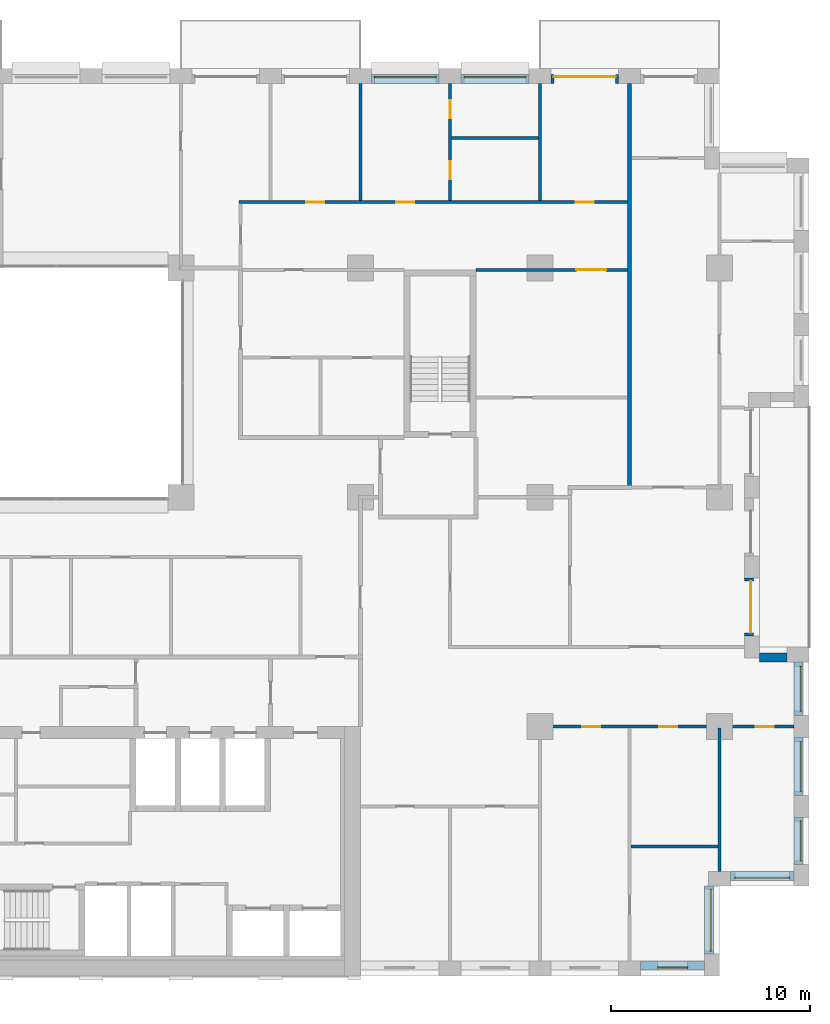
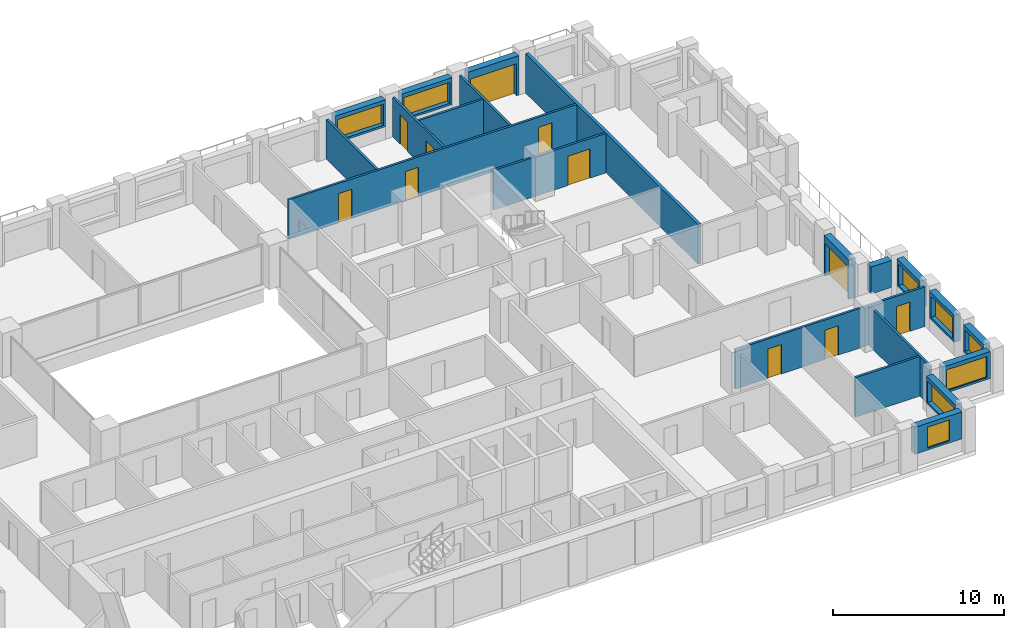
# One storey, part 14 of 16: 21 walls, 11 doors, 8 windows, 19 openings.
"""IFC4 building model written with IfcOpenShell, lengths in metres."""

from ifc_helpers import new_model, si_unit, direction, frame, frame_2d, origin, place, context, subcontext, project, spatial, rectangle, extrude, material, layer, layer_set, type_object, element, fill, save


model = new_model("IFC4")

# Units and contexts
model_context = context("Model", 3, precision=1e-05, world=origin(), true_north=direction((0.0, 1.0)))
body_context = subcontext(model_context, "Body", "Model", "MODEL_VIEW")
ifc_project = project(units=[si_unit("LENGTHUNIT", "METRE"), si_unit("AREAUNIT", "SQUARE_METRE"), si_unit("VOLUMEUNIT", "CUBIC_METRE"), si_unit("PLANEANGLEUNIT", "RADIAN"), si_unit("MASSUNIT", "GRAM", prefix="KILO")], contexts=[model_context])

# Site, building, storey
site_placement = place(None, origin())
site = spatial("IfcSite", under=ifc_project, at=site_placement, CompositionType="ELEMENT")
building_placement = place(site_placement, origin())
building = spatial("IfcBuilding", under=site, at=building_placement, Name="Brigalow Station Residences", CompositionType="ELEMENT")
storey_placement = place(building_placement, frame((0.0, 0.0, 102.449951171875)))
storey = spatial("IfcBuildingStorey", under=building, at=storey_placement, Name="L29", CompositionType="ELEMENT", Elevation=102.449951171875)

# Wall, opening, window
ifc_material_1 = material(Name="Clay brick masonry", Category="masonry")
ifc_layer_1 = layer(ifc_material_1, 0.449951171875)
ifc_layer_set_1 = layer_set([ifc_layer_1], Name="BRICK INFILL WALL 450")
wall_type_1 = type_object("IfcWallType", Name="BRICK INFILL WALL 450", PredefinedType="SOLIDWALL", material=ifc_layer_set_1)
wall_1_placement = place(storey_placement, frame((68.050048828125, 0.52490234375, 0.900146484375), z_axis=(0.0, 0.0, 1.0), x_axis=(1.0, 0.0, 0.0)))
wall_1 = element("IfcWall", 1, at=wall_1_placement, inside=storey, type_object=wall_type_1, Name="L29/ewall/W-L29-7", PredefinedType="SOLIDWALL", context=body_context, shape_type="SweptSolid", body=[
    extrude(rectangle(XDim=3.199951171875, YDim=0.449951171875, at=frame_2d((1.60009765625, 0.0))), origin(), (0.0, 0.0, 1.0), 1.929931640625),
])
opening_1_placement = place(wall_1_placement, frame((0.85009765625, 0.0, 0.14990234375)))
opening_1 = element("IfcOpeningElement", 2, at=opening_1_placement, cuts=wall_1, Name="Opening WT-1", PredefinedType="OPENING", context=body_context, shape_type="SweptSolid", body=[
    extrude(rectangle(XDim=1.5, YDim=1.5, at=frame_2d((0.75, 0.75))), frame((0.0, 0.23486328125, 0.0), z_axis=(0.0, -1.0, 0.0), x_axis=(1.0, 0.0, 0.0)), (0.0, 0.0, 1.0), 0.469970703125),
])
ifc_material_2 = material(Name="Anodised aluminium frame with double glazing", Category="aluminium")
window_type_1 = type_object("IfcWindowType", Name="WINDOW 1500x1500", PartitioningType="SINGLE_PANEL", PredefinedType="WINDOW", material=ifc_material_2)
window_1_placement = place(opening_1_placement, origin())
window_1 = element("IfcWindow", 3, at=window_1_placement, inside=storey, type_object=window_type_1, Name="L29/window/W-L29-7", OverallHeight=1.5, OverallWidth=1.5, PartitioningType="SINGLE_PANEL", PredefinedType="WINDOW", context=body_context, shape_type="SweptSolid", body=[
    extrude(rectangle(XDim=1.5, YDim=1.5, at=frame_2d((0.75, 0.75))), frame((0.0, -0.06494140625, 0.0), z_axis=(0.0, -1.0, 0.0), x_axis=(1.0, 0.0, 0.0)), (0.0, 0.0, 1.0), 0.06005859375),
])
fill(opening_1, window_1)

wall_2_placement = place(storey_placement, frame((71.47509765625, 1.10009765625, 0.900146484375), z_axis=(0.0, 0.0, 1.0), x_axis=(0.0, 1.0, 0.0)))
wall_2 = element("IfcWall", 4, at=wall_2_placement, inside=storey, type_object=wall_type_1, Name="L29/ewall/W-L29-8", PredefinedType="SOLIDWALL", context=body_context, shape_type="SweptSolid", body=[
    extrude(rectangle(XDim=3.39990234375, YDim=0.449951171875, at=frame_2d((1.699951171875, 0.0))), origin(), (0.0, 0.0, 1.0), 1.929931640625),
])
opening_2_placement = place(wall_2_placement, frame((0.14990234375, 0.0, 0.14990234375)))
opening_2 = element("IfcOpeningElement", 5, at=opening_2_placement, cuts=wall_2, Name="Opening WT-8", PredefinedType="OPENING", context=body_context, shape_type="SweptSolid", body=[
    extrude(rectangle(XDim=3.10009765625, YDim=1.5, at=frame_2d((1.550048828125, 0.75))), frame((0.0, 0.23486328125, 0.0), z_axis=(0.0, -1.0, 0.0), x_axis=(1.0, 0.0, 0.0)), (0.0, 0.0, 1.0), 0.469970703125),
])
ifc_material_3 = material(Name="Anodised aluminium frame with double glazing", Category="aluminium")
window_type_2 = type_object("IfcWindowType", Name="WINDOW 3100x1500", PartitioningType="SINGLE_PANEL", PredefinedType="WINDOW", material=ifc_material_3)
window_2_placement = place(opening_2_placement, origin())
window_2 = element("IfcWindow", 6, at=window_2_placement, inside=storey, type_object=window_type_2, Name="L29/window/W-L29-8", OverallHeight=1.5, OverallWidth=3.10009765625, PartitioningType="SINGLE_PANEL", PredefinedType="WINDOW", context=body_context, shape_type="SweptSolid", body=[
    extrude(rectangle(XDim=3.10009765625, YDim=1.5, at=frame_2d((1.550048828125, 0.75))), frame((0.0, -0.06494140625, 0.0), z_axis=(0.0, -1.0, 0.0), x_axis=(1.0, 0.0, 0.0)), (0.0, 0.0, 1.0), 0.06005859375),
])
fill(opening_2, window_2)

wall_3_placement = place(storey_placement, frame((72.550048828125, 5.02490234375, 0.900146484375), z_axis=(0.0, 0.0, 1.0), x_axis=(1.0, 0.0, 0.0)))
wall_3 = element("IfcWall", 7, at=wall_3_placement, inside=storey, type_object=wall_type_1, Name="L29/ewall/W-L29-9", PredefinedType="SOLIDWALL", context=body_context, shape_type="SweptSolid", body=[
    extrude(rectangle(XDim=3.199951171875, YDim=0.449951171875, at=frame_2d((1.60009765625, 0.0))), origin(), (0.0, 0.0, 1.0), 1.929931640625),
])
opening_3_placement = place(wall_3_placement, frame((0.22509765625, 0.0, 0.14990234375)))
opening_3 = element("IfcOpeningElement", 8, at=opening_3_placement, cuts=wall_3, Name="Opening WT-3", PredefinedType="OPENING", context=body_context, shape_type="SweptSolid", body=[
    extrude(rectangle(XDim=2.75, YDim=1.5, at=frame_2d((1.375, 0.75))), frame((0.0, 0.23486328125, 0.0), z_axis=(0.0, -1.0, 0.0), x_axis=(1.0, 0.0, 0.0)), (0.0, 0.0, 1.0), 0.469970703125),
])
ifc_material_4 = material(Name="Anodised aluminium frame with double glazing", Category="aluminium")
window_type_3 = type_object("IfcWindowType", Name="WINDOW 2750x1500", PartitioningType="SINGLE_PANEL", PredefinedType="WINDOW", material=ifc_material_4)
window_3_placement = place(opening_3_placement, origin())
window_3 = element("IfcWindow", 9, at=window_3_placement, inside=storey, type_object=window_type_3, Name="L29/window/W-L29-9", OverallHeight=1.5, OverallWidth=2.75, PartitioningType="SINGLE_PANEL", PredefinedType="WINDOW", context=body_context, shape_type="SweptSolid", body=[
    extrude(rectangle(XDim=2.75, YDim=1.5, at=frame_2d((1.375, 0.75))), frame((0.0, -0.06494140625, 0.0), z_axis=(0.0, -1.0, 0.0), x_axis=(1.0, 0.0, 0.0)), (0.0, 0.0, 1.0), 0.06005859375),
])
fill(opening_3, window_3)

wall_4_placement = place(storey_placement, frame((75.97509765625, 5.60009765625, 0.900146484375), z_axis=(0.0, 0.0, 1.0), x_axis=(0.0, 1.0, 0.0)))
wall_4 = element("IfcWall", 10, at=wall_4_placement, inside=storey, type_object=wall_type_1, Name="L29/ewall/W-L29-10", PredefinedType="SOLIDWALL", context=body_context, shape_type="SweptSolid", body=[
    extrude(rectangle(XDim=2.349853515625, YDim=0.449951171875, at=frame_2d((1.1748046875, 0.0))), origin(), (0.0, 0.0, 1.0), 1.929931640625),
])
opening_4_placement = place(wall_4_placement, frame((0.175048828125, 0.0, 0.14990234375)))
opening_4 = element("IfcOpeningElement", 11, at=opening_4_placement, cuts=wall_4, Name="Opening WT-7", PredefinedType="OPENING", context=body_context, shape_type="SweptSolid", body=[
    extrude(rectangle(XDim=2.0, YDim=1.5, at=frame_2d((1.0, 0.75))), frame((0.0, 0.23486328125, 0.0), z_axis=(0.0, -1.0, 0.0), x_axis=(1.0, 0.0, 0.0)), (0.0, 0.0, 1.0), 0.469970703125),
])
ifc_material_5 = material(Name="Anodised aluminium frame with double glazing", Category="aluminium")
window_type_4 = type_object("IfcWindowType", Name="WINDOW 2000x1500", PartitioningType="SINGLE_PANEL", PredefinedType="WINDOW", material=ifc_material_5)
window_4_placement = place(opening_4_placement, origin())
window_4 = element("IfcWindow", 12, at=window_4_placement, inside=storey, type_object=window_type_4, Name="L29/window/W-L29-10", OverallHeight=1.5, OverallWidth=2.0, PartitioningType="SINGLE_PANEL", PredefinedType="WINDOW", context=body_context, shape_type="SweptSolid", body=[
    extrude(rectangle(XDim=2.0, YDim=1.5, at=frame_2d((1.0, 0.75))), frame((0.0, -0.06494140625, 0.0), z_axis=(0.0, -1.0, 0.0), x_axis=(1.0, 0.0, 0.0)), (0.0, 0.0, 1.0), 0.06005859375),
])
fill(opening_4, window_4)

wall_5_placement = place(storey_placement, frame((75.97509765625, 9.050048828125, 0.900146484375), z_axis=(0.0, 0.0, 1.0), x_axis=(0.0, 1.0, 0.0)))
wall_5 = element("IfcWall", 13, at=wall_5_placement, inside=storey, type_object=wall_type_1, Name="L29/ewall/W-L29-11", PredefinedType="SOLIDWALL", context=body_context, shape_type="SweptSolid", body=[
    extrude(rectangle(XDim=2.89990234375, YDim=0.449951171875, at=frame_2d((1.449951171875, 0.0))), origin(), (0.0, 0.0, 1.0), 1.929931640625),
])
opening_5_placement = place(wall_5_placement, frame((0.199951171875, 0.0, 0.14990234375)))
opening_5 = element("IfcOpeningElement", 14, at=opening_5_placement, cuts=wall_5, Name="Opening WT-5", PredefinedType="OPENING", context=body_context, shape_type="SweptSolid", body=[
    extrude(rectangle(XDim=2.5, YDim=1.5, at=frame_2d((1.25, 0.75))), frame((0.0, 0.23486328125, 0.0), z_axis=(0.0, -1.0, 0.0), x_axis=(1.0, 0.0, 0.0)), (0.0, 0.0, 1.0), 0.469970703125),
])
ifc_material_6 = material(Name="Anodised aluminium frame with double glazing", Category="aluminium")
window_type_5 = type_object("IfcWindowType", Name="WINDOW 2500x1500", PartitioningType="SINGLE_PANEL", PredefinedType="WINDOW", material=ifc_material_6)
window_5_placement = place(opening_5_placement, origin())
window_5 = element("IfcWindow", 15, at=window_5_placement, inside=storey, type_object=window_type_5, Name="L29/window/W-L29-11", OverallHeight=1.5, OverallWidth=2.5, PartitioningType="SINGLE_PANEL", PredefinedType="WINDOW", context=body_context, shape_type="SweptSolid", body=[
    extrude(rectangle(XDim=2.5, YDim=1.5, at=frame_2d((1.25, 0.75))), frame((0.0, -0.06494140625, 0.0), z_axis=(0.0, -1.0, 0.0), x_axis=(1.0, 0.0, 0.0)), (0.0, 0.0, 1.0), 0.06005859375),
])
fill(opening_5, window_5)

wall_6_placement = place(storey_placement, frame((75.97509765625, 13.050048828125, 0.900146484375), z_axis=(0.0, 0.0, 1.0), x_axis=(0.0, 1.0, 0.0)))
wall_6 = element("IfcWall", 16, at=wall_6_placement, inside=storey, type_object=wall_type_1, Name="L29/ewall/W-L29-12", PredefinedType="SOLIDWALL", context=body_context, shape_type="SweptSolid", body=[
    extrude(rectangle(XDim=2.699951171875, YDim=0.449951171875, at=frame_2d((1.35009765625, 0.0))), origin(), (0.0, 0.0, 1.0), 1.929931640625),
])
opening_6_placement = place(wall_6_placement, frame((0.22509765625, 0.0, 0.14990234375)))
opening_6 = element("IfcOpeningElement", 17, at=opening_6_placement, cuts=wall_6, Name="Opening WT-6", PredefinedType="OPENING", context=body_context, shape_type="SweptSolid", body=[
    extrude(rectangle(XDim=2.25, YDim=1.5, at=frame_2d((1.125, 0.75))), frame((0.0, 0.23486328125, 0.0), z_axis=(0.0, -1.0, 0.0), x_axis=(1.0, 0.0, 0.0)), (0.0, 0.0, 1.0), 0.469970703125),
])
ifc_material_7 = material(Name="Anodised aluminium frame with double glazing", Category="aluminium")
window_type_6 = type_object("IfcWindowType", Name="WINDOW 2250x1500", PartitioningType="SINGLE_PANEL", PredefinedType="WINDOW", material=ifc_material_7)
window_6_placement = place(opening_6_placement, origin())
window_6 = element("IfcWindow", 18, at=window_6_placement, inside=storey, type_object=window_type_6, Name="L29/window/W-L29-12", OverallHeight=1.5, OverallWidth=2.25, PartitioningType="SINGLE_PANEL", PredefinedType="WINDOW", context=body_context, shape_type="SweptSolid", body=[
    extrude(rectangle(XDim=2.25, YDim=1.5, at=frame_2d((1.125, 0.75))), frame((0.0, -0.06494140625, 0.0), z_axis=(0.0, -1.0, 0.0), x_axis=(1.0, 0.0, 0.0)), (0.0, 0.0, 1.0), 0.06005859375),
])
fill(opening_6, window_6)

# Wall
wall_7_placement = place(storey_placement, frame((75.39990234375, 15.97509765625, 0.900146484375), z_axis=(0.0, 0.0, 1.0), x_axis=(-1.0, 0.0, 0.0)))
element("IfcWall", 19, at=wall_7_placement, inside=storey, type_object=wall_type_1, Name="L29/ewall/W-L29-13", PredefinedType="SOLIDWALL", context=body_context, shape_type="SweptSolid", body=[
    extrude(rectangle(XDim=1.39990234375, YDim=0.449951171875, at=frame_2d((0.699951171875, 0.0))), origin(), (0.0, 0.0, 1.0), 1.929931640625),
])

# Wall, opening, door
wall_8_placement = place(storey_placement, frame((73.47509765625, 17.050048828125, 0.0), z_axis=(0.0, 0.0, 1.0), x_axis=(0.0, 1.0, 0.0)))
wall_8 = element("IfcWall", 20, at=wall_8_placement, inside=storey, type_object=wall_type_1, Name="L29/ewall/W-L29-14", PredefinedType="SOLIDWALL", context=body_context, shape_type="SweptSolid", body=[
    extrude(rectangle(XDim=2.89990234375, YDim=0.449951171875, at=frame_2d((1.449951171875, 0.0))), origin(), (0.0, 0.0, 1.0), 2.830078125),
])
opening_7_placement = place(wall_8_placement, frame((0.14990234375, 0.0, 0.0)))
opening_7 = element("IfcOpeningElement", 21, at=opening_7_placement, cuts=wall_8, Name="Opening D-B2600", PredefinedType="OPENING", context=body_context, shape_type="SweptSolid", body=[
    extrude(rectangle(XDim=2.60009765625, YDim=2.300048828125, at=frame_2d((1.300048828125, 1.14990234375))), frame((0.0, 0.23486328125, 0.0), z_axis=(0.0, -1.0, 0.0), x_axis=(1.0, 0.0, 0.0)), (0.0, 0.0, 1.0), 0.469970703125),
])
ifc_material_8 = material(Name="Anodised aluminium frame with double glazing", Category="aluminium")
door_type_1 = type_object("IfcDoorType", Name="BALCONY SLIDING DOOR 2600x2300", OperationType="SLIDING_TO_LEFT", PredefinedType="DOOR", material=ifc_material_8)
door_1_placement = place(opening_7_placement, origin())
door_1 = element("IfcDoor", 22, at=door_1_placement, inside=storey, type_object=door_type_1, Name="L29/balcony-door/W-L29-14", OperationType="SLIDING_TO_LEFT", OverallHeight=2.300048828125, OverallWidth=2.60009765625, PredefinedType="DOOR", context=body_context, shape_type="SweptSolid", body=[
    extrude(rectangle(XDim=2.60009765625, YDim=2.300048828125, at=frame_2d((1.300048828125, 1.14990234375))), frame((0.0, -0.06982421875, 0.0), z_axis=(0.0, -1.0, 0.0), x_axis=(1.0, 0.0, 0.0)), (0.0, 0.0, 1.0), 0.050048828125),
])
fill(opening_7, door_1)

wall_9_placement = place(storey_placement, frame((66.949951171875, 44.97509765625, 0.0), z_axis=(0.0, 0.0, 1.0), x_axis=(-1.0, 0.0, 0.0)))
wall_9 = element("IfcWall", 23, at=wall_9_placement, inside=storey, type_object=wall_type_1, Name="L29/ewall/W-L29-24", PredefinedType="SOLIDWALL", context=body_context, shape_type="SweptSolid", body=[
    extrude(rectangle(XDim=3.39990234375, YDim=0.449951171875, at=frame_2d((1.699951171875, 0.0))), origin(), (0.0, 0.0, 1.0), 2.830078125),
])
opening_8_placement = place(wall_9_placement, frame((0.14990234375, 0.0, 0.0)))
opening_8 = element("IfcOpeningElement", 24, at=opening_8_placement, cuts=wall_9, Name="Opening D-B3100", PredefinedType="OPENING", context=body_context, shape_type="SweptSolid", body=[
    extrude(rectangle(XDim=3.10009765625, YDim=2.300048828125, at=frame_2d((1.550048828125, 1.14990234375))), frame((0.0, 0.23486328125, 0.0), z_axis=(0.0, -1.0, 0.0), x_axis=(1.0, 0.0, 0.0)), (0.0, 0.0, 1.0), 0.469970703125),
])
ifc_material_9 = material(Name="Anodised aluminium frame with double glazing", Category="aluminium")
door_type_2 = type_object("IfcDoorType", Name="BALCONY SLIDING DOOR 3100x2300", OperationType="SLIDING_TO_LEFT", PredefinedType="DOOR", material=ifc_material_9)
door_2_placement = place(opening_8_placement, origin())
door_2 = element("IfcDoor", 25, at=door_2_placement, inside=storey, type_object=door_type_2, Name="L29/balcony-door/W-L29-24", OperationType="SLIDING_TO_LEFT", OverallHeight=2.300048828125, OverallWidth=3.10009765625, PredefinedType="DOOR", context=body_context, shape_type="SweptSolid", body=[
    extrude(rectangle(XDim=3.10009765625, YDim=2.300048828125, at=frame_2d((1.550048828125, 1.14990234375))), frame((0.0, -0.06982421875, 0.0), z_axis=(0.0, -1.0, 0.0), x_axis=(1.0, 0.0, 0.0)), (0.0, 0.0, 1.0), 0.050048828125),
])
fill(opening_8, door_2)

# Wall, opening, window
wall_10_placement = place(storey_placement, frame((62.449951171875, 44.97509765625, 0.900146484375), z_axis=(0.0, 0.0, 1.0), x_axis=(-1.0, 0.0, 0.0)))
wall_10 = element("IfcWall", 26, at=wall_10_placement, inside=storey, type_object=wall_type_1, Name="L29/ewall/W-L29-25", PredefinedType="SOLIDWALL", context=body_context, shape_type="SweptSolid", body=[
    extrude(rectangle(XDim=3.39990234375, YDim=0.449951171875, at=frame_2d((1.699951171875, 0.0))), origin(), (0.0, 0.0, 1.0), 1.929931640625),
])
opening_9_placement = place(wall_10_placement, frame((0.14990234375, 0.0, 0.14990234375)))
opening_9 = element("IfcOpeningElement", 27, at=opening_9_placement, cuts=wall_10, Name="Opening WT-8", PredefinedType="OPENING", context=body_context, shape_type="SweptSolid", body=[
    extrude(rectangle(XDim=3.10009765625, YDim=1.5, at=frame_2d((1.550048828125, 0.75))), frame((0.0, 0.23486328125, 0.0), z_axis=(0.0, -1.0, 0.0), x_axis=(1.0, 0.0, 0.0)), (0.0, 0.0, 1.0), 0.469970703125),
])
window_7_placement = place(opening_9_placement, origin())
window_7 = element("IfcWindow", 28, at=window_7_placement, inside=storey, type_object=window_type_2, Name="L29/window/W-L29-25", OverallHeight=1.5, OverallWidth=3.10009765625, PartitioningType="SINGLE_PANEL", PredefinedType="WINDOW", context=body_context, shape_type="SweptSolid", body=[
    extrude(rectangle(XDim=3.10009765625, YDim=1.5, at=frame_2d((1.550048828125, 0.75))), frame((0.0, -0.06494140625, 0.0), z_axis=(0.0, -1.0, 0.0), x_axis=(1.0, 0.0, 0.0)), (0.0, 0.0, 1.0), 0.06005859375),
])
fill(opening_9, window_7)

wall_11_placement = place(storey_placement, frame((57.949951171875, 44.97509765625, 0.900146484375), z_axis=(0.0, 0.0, 1.0), x_axis=(-1.0, 0.0, 0.0)))
wall_11 = element("IfcWall", 29, at=wall_11_placement, inside=storey, type_object=wall_type_1, Name="L29/ewall/W-L29-26", PredefinedType="SOLIDWALL", context=body_context, shape_type="SweptSolid", body=[
    extrude(rectangle(XDim=3.39990234375, YDim=0.449951171875, at=frame_2d((1.699951171875, 0.0))), origin(), (0.0, 0.0, 1.0), 1.929931640625),
])
opening_10_placement = place(wall_11_placement, frame((0.14990234375, 0.0, 0.14990234375)))
opening_10 = element("IfcOpeningElement", 30, at=opening_10_placement, cuts=wall_11, Name="Opening WT-8", PredefinedType="OPENING", context=body_context, shape_type="SweptSolid", body=[
    extrude(rectangle(XDim=3.10009765625, YDim=1.5, at=frame_2d((1.550048828125, 0.75))), frame((0.0, 0.23486328125, 0.0), z_axis=(0.0, -1.0, 0.0), x_axis=(1.0, 0.0, 0.0)), (0.0, 0.0, 1.0), 0.469970703125),
])
window_8_placement = place(opening_10_placement, origin())
window_8 = element("IfcWindow", 31, at=window_8_placement, inside=storey, type_object=window_type_2, Name="L29/window/W-L29-26", OverallHeight=1.5, OverallWidth=3.10009765625, PartitioningType="SINGLE_PANEL", PredefinedType="WINDOW", context=body_context, shape_type="SweptSolid", body=[
    extrude(rectangle(XDim=3.10009765625, YDim=1.5, at=frame_2d((1.550048828125, 0.75))), frame((0.0, -0.06494140625, 0.0), z_axis=(0.0, -1.0, 0.0), x_axis=(1.0, 0.0, 0.0)), (0.0, 0.0, 1.0), 0.06005859375),
])
fill(opening_10, window_8)

# Wall, openings, doors
ifc_material_10 = material(Name="Plasterboard on steel stud partition", Category="steel")
ifc_layer_2 = layer(ifc_material_10, 0.14990234375)
ifc_layer_set_2 = layer_set([ifc_layer_2], Name="FLAT PARTITION 150")
wall_type_2 = type_object("IfcWallType", Name="FLAT PARTITION 150", PredefinedType="PARTITIONING", material=ifc_layer_set_2)
wall_12_placement = place(storey_placement, frame((62.925048828125, 12.5, 0.0), z_axis=(0.0, 0.0, 1.0), x_axis=(1.0, 0.0, 0.0)))
wall_12 = element("IfcWall", 32, at=wall_12_placement, inside=storey, type_object=wall_type_2, Name="PW-2C12", PredefinedType="PARTITIONING", context=body_context, shape_type="SweptSolid", body=[
    extrude(rectangle(XDim=12.824951171875, YDim=0.14990234375, at=frame_2d((6.41259765625, 0.0))), origin(), (0.0, 0.0, 1.0), 2.830078125),
])
opening_11_placement = place(wall_12_placement, frame((6.050048828125, 0.0, 0.0)))
opening_11 = element("IfcOpeningElement", 33, at=opening_11_placement, cuts=wall_12, Name="Opening D-2C33", PredefinedType="OPENING", context=body_context, shape_type="SweptSolid", body=[
    extrude(rectangle(XDim=0.89990234375, YDim=2.10009765625, at=frame_2d((0.449951171875, 1.050048828125))), frame((0.0, 0.0849609375, 0.0), z_axis=(0.0, -1.0, 0.0), x_axis=(1.0, 0.0, 0.0)), (0.0, 0.0, 1.0), 0.169921875),
])
opening_12_placement = place(wall_12_placement, frame((2.199951171875, 0.0, 0.0)))
opening_12 = element("IfcOpeningElement", 34, at=opening_12_placement, cuts=wall_12, Name="Opening D-2C35", PredefinedType="OPENING", context=body_context, shape_type="SweptSolid", body=[
    extrude(rectangle(XDim=0.89990234375, YDim=2.10009765625, at=frame_2d((0.449951171875, 1.050048828125))), frame((0.0, 0.0849609375, 0.0), z_axis=(0.0, -1.0, 0.0), x_axis=(1.0, 0.0, 0.0)), (0.0, 0.0, 1.0), 0.169921875),
])
opening_13_placement = place(wall_12_placement, frame((10.89990234375, 0.0, 0.0)))
opening_13 = element("IfcOpeningElement", 35, at=opening_13_placement, cuts=wall_12, Name="Opening D-2C37", PredefinedType="OPENING", context=body_context, shape_type="SweptSolid", body=[
    extrude(rectangle(XDim=0.89990234375, YDim=2.10009765625, at=frame_2d((0.449951171875, 1.050048828125))), frame((0.0, 0.0849609375, 0.0), z_axis=(0.0, -1.0, 0.0), x_axis=(1.0, 0.0, 0.0)), (0.0, 0.0, 1.0), 0.169921875),
])
ifc_material_11 = material(Name="Solid-core timber door leaf", Category="wood")
door_type_3 = type_object("IfcDoorType", Name="INTERNAL DOOR 900 x 2100", OperationType="SINGLE_SWING_LEFT", PredefinedType="DOOR", material=ifc_material_11)
door_3_placement = place(opening_11_placement, frame((0.89990234375, 0.0, 0.0), z_axis=(0.0, 0.0, 1.0), x_axis=(-1.0, 0.0, 0.0)))
door_3 = element("IfcDoor", 36, at=door_3_placement, inside=storey, type_object=door_type_3, Name="D-2C33", OperationType="SINGLE_SWING_RIGHT", OverallHeight=2.10009765625, OverallWidth=0.89990234375, PredefinedType="DOOR", context=body_context, shape_type="SweptSolid", body=[
    extrude(rectangle(XDim=0.89990234375, YDim=2.10009765625, at=frame_2d((0.449951171875, 1.050048828125))), frame((0.0, 0.02490234375, 0.0), z_axis=(0.0, -1.0, 0.0), x_axis=(1.0, 0.0, 0.0)), (0.0, 0.0, 1.0), 0.050048828125),
])
fill(opening_11, door_3)
door_4_placement = place(opening_12_placement, frame((0.89990234375, 0.0, 0.0), z_axis=(0.0, 0.0, 1.0), x_axis=(-1.0, 0.0, 0.0)))
door_4 = element("IfcDoor", 37, at=door_4_placement, inside=storey, type_object=door_type_3, Name="D-2C35", OperationType="SINGLE_SWING_LEFT", OverallHeight=2.10009765625, OverallWidth=0.89990234375, PredefinedType="DOOR", context=body_context, shape_type="SweptSolid", body=[
    extrude(rectangle(XDim=0.89990234375, YDim=2.10009765625, at=frame_2d((0.449951171875, 1.050048828125))), frame((0.0, 0.02490234375, 0.0), z_axis=(0.0, -1.0, 0.0), x_axis=(1.0, 0.0, 0.0)), (0.0, 0.0, 1.0), 0.050048828125),
])
fill(opening_12, door_4)
door_5_placement = place(opening_13_placement, frame((0.89990234375, 0.0, 0.0), z_axis=(0.0, 0.0, 1.0), x_axis=(-1.0, 0.0, 0.0)))
door_5 = element("IfcDoor", 38, at=door_5_placement, inside=storey, type_object=door_type_3, Name="D-2C37", OperationType="SINGLE_SWING_LEFT", OverallHeight=2.10009765625, OverallWidth=0.89990234375, PredefinedType="DOOR", context=body_context, shape_type="SweptSolid", body=[
    extrude(rectangle(XDim=0.89990234375, YDim=2.10009765625, at=frame_2d((0.449951171875, 1.050048828125))), frame((0.0, 0.02490234375, 0.0), z_axis=(0.0, -1.0, 0.0), x_axis=(1.0, 0.0, 0.0)), (0.0, 0.0, 1.0), 0.050048828125),
])
fill(opening_13, door_5)

# Wall, opening, door
wall_13_placement = place(storey_placement, frame((59.800048828125, 35.39990234375, 0.0), z_axis=(0.0, 0.0, 1.0), x_axis=(1.0, 0.0, 0.0)))
wall_13 = element("IfcWall", 39, at=wall_13_placement, inside=storey, type_object=wall_type_2, Name="PW-2C27", PredefinedType="PARTITIONING", context=body_context, shape_type="SweptSolid", body=[
    extrude(rectangle(XDim=7.599853515625, YDim=0.14990234375, at=frame_2d((3.7998046875, 0.0))), origin(), (0.0, 0.0, 1.0), 2.830078125),
])
opening_14_placement = place(wall_13_placement, frame((5.02490234375, 0.0, 0.0)))
opening_14 = element("IfcOpeningElement", 40, at=opening_14_placement, cuts=wall_13, Name="Opening D-2C29", PredefinedType="OPENING", context=body_context, shape_type="SweptSolid", body=[
    extrude(rectangle(XDim=1.5, YDim=2.10009765625, at=frame_2d((0.75, 1.050048828125))), frame((0.0, 0.0849609375, 0.0), z_axis=(0.0, -1.0, 0.0), x_axis=(1.0, 0.0, 0.0)), (0.0, 0.0, 1.0), 0.169921875),
])
ifc_material_12 = material(Name="Solid-core timber door leaf", Category="wood")
door_type_4 = type_object("IfcDoorType", Name="INTERNAL DOUBLE DOOR 1500 x 2100", OperationType="DOUBLE_DOOR_SINGLE_SWING", PredefinedType="DOOR", material=ifc_material_12)
door_6_placement = place(opening_14_placement, frame((1.5, 0.0, 0.0), z_axis=(0.0, 0.0, 1.0), x_axis=(-1.0, 0.0, 0.0)))
door_6 = element("IfcDoor", 41, at=door_6_placement, inside=storey, type_object=door_type_4, Name="D-2C29", OperationType="DOUBLE_DOOR_SINGLE_SWING", OverallHeight=2.10009765625, OverallWidth=1.5, PredefinedType="DOOR", context=body_context, shape_type="SweptSolid", body=[
    extrude(rectangle(XDim=1.5, YDim=2.10009765625, at=frame_2d((0.75, 1.050048828125))), frame((0.0, 0.02490234375, 0.0), z_axis=(0.0, -1.0, 0.0), x_axis=(1.0, 0.0, 0.0)), (0.0, 0.0, 1.0), 0.050048828125),
])
fill(opening_14, door_6)

# Wall, openings, doors
wall_14_placement = place(storey_placement, frame((47.925048828125, 38.800048828125, 0.0), z_axis=(0.0, 0.0, 1.0), x_axis=(1.0, 0.0, 0.0)))
wall_14 = element("IfcWall", 42, at=wall_14_placement, inside=storey, type_object=wall_type_2, Name="PW-2C30", PredefinedType="PARTITIONING", context=body_context, shape_type="SweptSolid", body=[
    extrude(rectangle(XDim=19.474853515625, YDim=0.14990234375, at=frame_2d((9.7373046875, 0.0))), origin(), (0.0, 0.0, 1.0), 2.830078125),
])
opening_15_placement = place(wall_14_placement, frame((3.375, 0.0, 0.0)))
opening_15 = element("IfcOpeningElement", 43, at=opening_15_placement, cuts=wall_14, Name="Opening D-2C24", PredefinedType="OPENING", context=body_context, shape_type="SweptSolid", body=[
    extrude(rectangle(XDim=0.89990234375, YDim=2.10009765625, at=frame_2d((0.449951171875, 1.050048828125))), frame((0.0, 0.0849609375, 0.0), z_axis=(0.0, -1.0, 0.0), x_axis=(1.0, 0.0, 0.0)), (0.0, 0.0, 1.0), 0.169921875),
])
opening_16_placement = place(wall_14_placement, frame((7.875, 0.0, 0.0)))
opening_16 = element("IfcOpeningElement", 44, at=opening_16_placement, cuts=wall_14, Name="Opening D-2C25", PredefinedType="OPENING", context=body_context, shape_type="SweptSolid", body=[
    extrude(rectangle(XDim=0.89990234375, YDim=2.10009765625, at=frame_2d((0.449951171875, 1.050048828125))), frame((0.0, 0.0849609375, 0.0), z_axis=(0.0, -1.0, 0.0), x_axis=(1.0, 0.0, 0.0)), (0.0, 0.0, 1.0), 0.169921875),
])
opening_17_placement = place(wall_14_placement, frame((16.875, 0.0, 0.0)))
opening_17 = element("IfcOpeningElement", 45, at=opening_17_placement, cuts=wall_14, Name="Opening D-2C28", PredefinedType="OPENING", context=body_context, shape_type="SweptSolid", body=[
    extrude(rectangle(XDim=0.89990234375, YDim=2.10009765625, at=frame_2d((0.449951171875, 1.050048828125))), frame((0.0, 0.0849609375, 0.0), z_axis=(0.0, -1.0, 0.0), x_axis=(1.0, 0.0, 0.0)), (0.0, 0.0, 1.0), 0.169921875),
])
door_7_placement = place(opening_15_placement, origin())
door_7 = element("IfcDoor", 46, at=door_7_placement, inside=storey, type_object=door_type_3, Name="D-2C24", OperationType="SINGLE_SWING_LEFT", OverallHeight=2.10009765625, OverallWidth=0.89990234375, PredefinedType="DOOR", context=body_context, shape_type="SweptSolid", body=[
    extrude(rectangle(XDim=0.89990234375, YDim=2.10009765625, at=frame_2d((0.449951171875, 1.050048828125))), frame((0.0, 0.02490234375, 0.0), z_axis=(0.0, -1.0, 0.0), x_axis=(1.0, 0.0, 0.0)), (0.0, 0.0, 1.0), 0.050048828125),
])
fill(opening_15, door_7)
door_8_placement = place(opening_16_placement, origin())
door_8 = element("IfcDoor", 47, at=door_8_placement, inside=storey, type_object=door_type_3, Name="D-2C25", OperationType="SINGLE_SWING_RIGHT", OverallHeight=2.10009765625, OverallWidth=0.89990234375, PredefinedType="DOOR", context=body_context, shape_type="SweptSolid", body=[
    extrude(rectangle(XDim=0.89990234375, YDim=2.10009765625, at=frame_2d((0.449951171875, 1.050048828125))), frame((0.0, 0.02490234375, 0.0), z_axis=(0.0, -1.0, 0.0), x_axis=(1.0, 0.0, 0.0)), (0.0, 0.0, 1.0), 0.050048828125),
])
fill(opening_16, door_8)
door_9_placement = place(opening_17_placement, origin())
door_9 = element("IfcDoor", 48, at=door_9_placement, inside=storey, type_object=door_type_3, Name="D-2C28", OperationType="SINGLE_SWING_RIGHT", OverallHeight=2.10009765625, OverallWidth=0.89990234375, PredefinedType="DOOR", context=body_context, shape_type="SweptSolid", body=[
    extrude(rectangle(XDim=0.89990234375, YDim=2.10009765625, at=frame_2d((0.449951171875, 1.050048828125))), frame((0.0, 0.02490234375, 0.0), z_axis=(0.0, -1.0, 0.0), x_axis=(1.0, 0.0, 0.0)), (0.0, 0.0, 1.0), 0.050048828125),
])
fill(opening_17, door_9)

# Walls
for number, where, z_axis, x_axis, name in (
    (49, (58.574951171875, 42.0, 0.0), (0.0, 0.0, 1.0), (1.0, 0.0, 0.0), "PW-2C32"),
    (50, (67.574951171875, 6.5, 0.0), (0.0, 0.0, 1.0), (1.0, 0.0, 0.0), "PW-2C34"),
):
    element("IfcWall", number, at=place(storey_placement, frame(where, z_axis=z_axis, x_axis=x_axis)), inside=storey, type_object=wall_type_2, Name=name, PredefinedType="PARTITIONING", context=body_context, shape_type="SweptSolid", body=[
        extrude(rectangle(XDim=4.35009765625, YDim=0.14990234375, at=frame_2d((2.175048828125, 0.0))), origin(), (0.0, 0.0, 1.0), 2.830078125),
    ])
wall_15_placement = place(storey_placement, frame((54.0, 38.875, 0.0), z_axis=(0.0, 0.0, 1.0), x_axis=(0.0, 1.0, 0.0)))
element("IfcWall", 51, at=wall_15_placement, inside=storey, type_object=wall_type_2, Name="PW-2C37", PredefinedType="PARTITIONING", context=body_context, shape_type="SweptSolid", body=[
    extrude(rectangle(XDim=5.875, YDim=0.14990234375, at=frame_2d((2.9375, 0.0))), origin(), (0.0, 0.0, 1.0), 2.830078125),
])

# Wall, openings, doors
wall_16_placement = place(storey_placement, frame((58.5, 38.875, 0.0), z_axis=(0.0, 0.0, 1.0), x_axis=(0.0, 1.0, 0.0)))
wall_16 = element("IfcWall", 52, at=wall_16_placement, inside=storey, type_object=wall_type_2, Name="PW-2C60", PredefinedType="PARTITIONING", context=body_context, shape_type="SweptSolid", body=[
    extrude(rectangle(XDim=5.875, YDim=0.14990234375, at=frame_2d((2.9375, 0.0))), origin(), (0.0, 0.0, 1.0), 2.830078125),
])
opening_18_placement = place(wall_16_placement, frame((1.074951171875, 0.0, 0.0)))
opening_18 = element("IfcOpeningElement", 53, at=opening_18_placement, cuts=wall_16, Name="Opening D-2C26", PredefinedType="OPENING", context=body_context, shape_type="SweptSolid", body=[
    extrude(rectangle(XDim=0.89990234375, YDim=2.10009765625, at=frame_2d((0.449951171875, 1.050048828125))), frame((0.0, 0.0849609375, 0.0), z_axis=(0.0, -1.0, 0.0), x_axis=(1.0, 0.0, 0.0)), (0.0, 0.0, 1.0), 0.169921875),
])
opening_19_placement = place(wall_16_placement, frame((4.125, 0.0, 0.0)))
opening_19 = element("IfcOpeningElement", 54, at=opening_19_placement, cuts=wall_16, Name="Opening D-2C27", PredefinedType="OPENING", context=body_context, shape_type="SweptSolid", body=[
    extrude(rectangle(XDim=0.89990234375, YDim=2.10009765625, at=frame_2d((0.449951171875, 1.050048828125))), frame((0.0, 0.0849609375, 0.0), z_axis=(0.0, -1.0, 0.0), x_axis=(1.0, 0.0, 0.0)), (0.0, 0.0, 1.0), 0.169921875),
])
door_10_placement = place(opening_18_placement, frame((0.89990234375, 0.0, 0.0), z_axis=(0.0, 0.0, 1.0), x_axis=(-1.0, 0.0, 0.0)))
door_10 = element("IfcDoor", 55, at=door_10_placement, inside=storey, type_object=door_type_3, Name="D-2C26", OperationType="SINGLE_SWING_RIGHT", OverallHeight=2.10009765625, OverallWidth=0.89990234375, PredefinedType="DOOR", context=body_context, shape_type="SweptSolid", body=[
    extrude(rectangle(XDim=0.89990234375, YDim=2.10009765625, at=frame_2d((0.449951171875, 1.050048828125))), frame((0.0, 0.02490234375, 0.0), z_axis=(0.0, -1.0, 0.0), x_axis=(1.0, 0.0, 0.0)), (0.0, 0.0, 1.0), 0.050048828125),
])
fill(opening_18, door_10)
door_11_placement = place(opening_19_placement, frame((0.89990234375, 0.0, 0.0), z_axis=(0.0, 0.0, 1.0), x_axis=(-1.0, 0.0, 0.0)))
door_11 = element("IfcDoor", 56, at=door_11_placement, inside=storey, type_object=door_type_3, Name="D-2C27", OperationType="SINGLE_SWING_LEFT", OverallHeight=2.10009765625, OverallWidth=0.89990234375, PredefinedType="DOOR", context=body_context, shape_type="SweptSolid", body=[
    extrude(rectangle(XDim=0.89990234375, YDim=2.10009765625, at=frame_2d((0.449951171875, 1.050048828125))), frame((0.0, 0.02490234375, 0.0), z_axis=(0.0, -1.0, 0.0), x_axis=(1.0, 0.0, 0.0)), (0.0, 0.0, 1.0), 0.050048828125),
])
fill(opening_19, door_11)

# Walls
wall_17_placement = place(storey_placement, frame((63.0, 38.875, 0.0), z_axis=(0.0, 0.0, 1.0), x_axis=(0.0, 1.0, 0.0)))
element("IfcWall", 57, at=wall_17_placement, inside=storey, type_object=wall_type_2, Name="PW-2C62", PredefinedType="PARTITIONING", context=body_context, shape_type="SweptSolid", body=[
    extrude(rectangle(XDim=5.875, YDim=0.14990234375, at=frame_2d((2.9375, 0.0))), origin(), (0.0, 0.0, 1.0), 2.830078125),
])
wall_18_placement = place(storey_placement, frame((72.0, 5.25, 0.0), z_axis=(0.0, 0.0, 1.0), x_axis=(0.0, 1.0, 0.0)))
element("IfcWall", 58, at=wall_18_placement, inside=storey, type_object=wall_type_2, Name="PW-2C65", PredefinedType="PARTITIONING", context=body_context, shape_type="SweptSolid", body=[
    extrude(rectangle(XDim=7.175048828125, YDim=0.14990234375, at=frame_2d((3.58740234375, 0.0))), origin(), (0.0, 0.0, 1.0), 2.830078125),
])
ifc_material_13 = material(Name="Plasterboard on steel stud partition", Category="steel")
ifc_layer_3 = layer(ifc_material_13, 0.199951171875)
ifc_layer_set_3 = layer_set([ifc_layer_3], Name="PARTY AND CORRIDOR WALL 200")
wall_type_3 = type_object("IfcWallType", Name="PARTY AND CORRIDOR WALL 200", PredefinedType="PARTITIONING", material=ifc_layer_set_3)
wall_19_placement = place(storey_placement, frame((67.5, 24.574951171875, 0.0), z_axis=(0.0, 0.0, 1.0), x_axis=(0.0, 1.0, 0.0)))
element("IfcWall", 59, at=wall_19_placement, inside=storey, type_object=wall_type_3, Name="PW-2C57", PredefinedType="PARTITIONING", context=body_context, shape_type="SweptSolid", body=[
    extrude(rectangle(XDim=20.175048828125, YDim=0.199951171875, at=frame_2d((10.08740234375, 0.0))), origin(), (0.0, 0.0, 1.0), 2.830078125),
])

save(model, "model.ifc")
